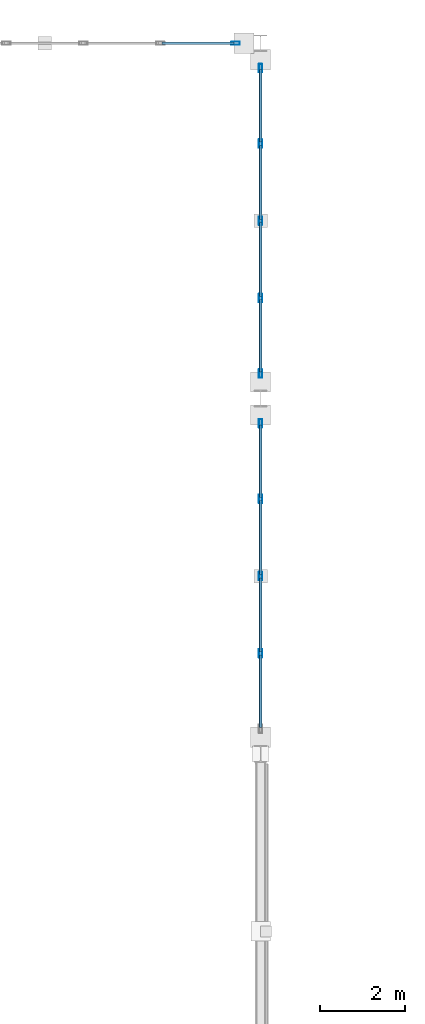
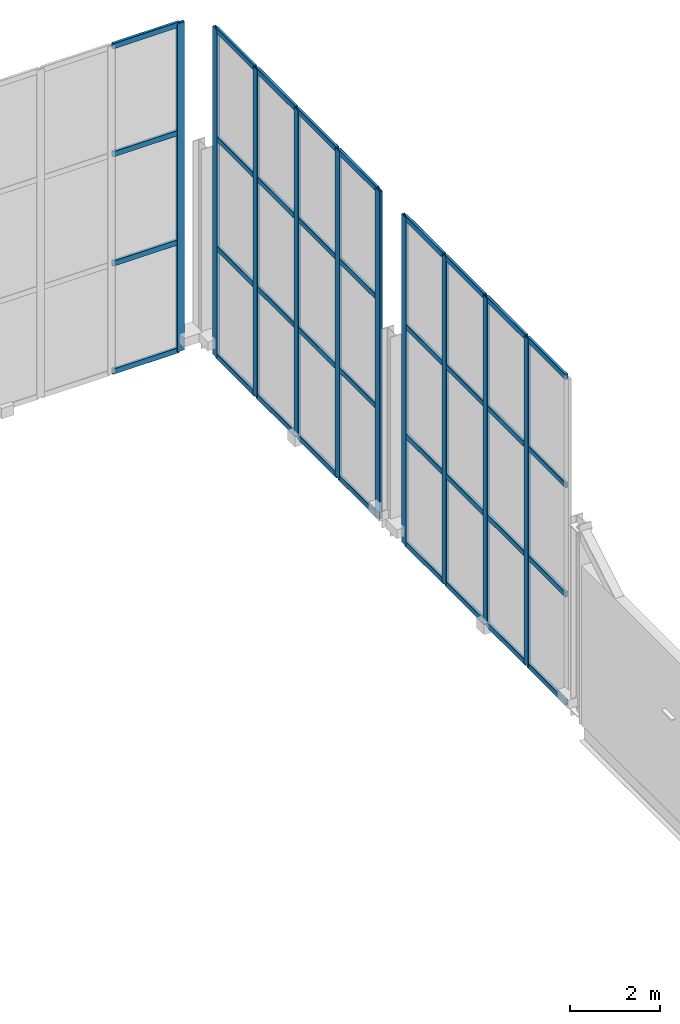
# One storey, part 100 of 175: 46 members, 3 elements without a shape of their own.
"""IFC4 building model written with IfcOpenShell, lengths in metres."""

from ifc_helpers import new_model, si_unit, direction, frame, origin, origin_2d, place, context, subcontext, project, spatial, hollow_rectangle, extrude, material, material_profile, profile_set, type_object, element, aggregate, save


model = new_model("IFC4")

# Units and contexts
model_context = context("Model", 3, precision=1e-05, world=origin(), true_north=direction((0.0, 1.0)))
body_context = subcontext(model_context, "Body", "Model", "MODEL_VIEW")
ifc_project = project(units=[si_unit("LENGTHUNIT", "METRE"), si_unit("AREAUNIT", "SQUARE_METRE"), si_unit("VOLUMEUNIT", "CUBIC_METRE"), si_unit("PLANEANGLEUNIT", "RADIAN"), si_unit("MASSUNIT", "GRAM", prefix="KILO")], contexts=[model_context])

# Site, building, storey
site_placement = place(None, origin())
site = spatial("IfcSite", under=ifc_project, at=site_placement, CompositionType="ELEMENT")
building_placement = place(site_placement, origin())
building = spatial("IfcBuilding", under=site, at=building_placement, Name="Brelvane Convention Centre", CompositionType="ELEMENT")
storey_placement = place(building_placement, frame((0.0, 0.0, 5.39990234375)))
storey = spatial("IfcBuildingStorey", under=building, at=storey_placement, Name="L01", CompositionType="ELEMENT", Elevation=5.39990234375)

# Curtain wall, member
ifc_material_1 = material(Name="Anodised Aluminium Alloy 6063-T6", Category="aluminium")
curtain_wall_type = type_object("IfcCurtainWallType", Name="Curtain Wall CW-BALL", PredefinedType="USERDEFINED", material=ifc_material_1)
curtain_wall_1_placement = place(storey_placement, origin())
curtain_wall_1 = element("IfcCurtainWall", 1, at=curtain_wall_1_placement, inside=storey, type_object=curtain_wall_type, Name="Curtain Wall CW-BALL L01-V3N-CW-L01-5", ObjectType="UNITISED", PredefinedType="USERDEFINED")
ifc_material_2 = material(Name="Anodised Aluminium Alloy 6063-T6", Category="aluminium")
ifc_material_profile_1 = material_profile(ifc_material_2, hollow_rectangle(XDim=0.074951171875, YDim=0.199951171875, WallThickness=0.0048828125, InnerFilletRadius=0.0048828125, OuterFilletRadius=0.010009765625, at=origin_2d()), Name="ALU-M 200x75x5.0")
ifc_profile_set_1 = profile_set([ifc_material_profile_1], Name="Anodised Aluminium Alloy 6063-T6")
member_type_1 = type_object("IfcMemberType", Name="Curtain Mullion CW-M2", PredefinedType="MULLION", material=ifc_profile_set_1)
member_1_placement = place(storey_placement, frame((223.8125, 144.0, 0.0), z_axis=(0.0, 0.0, 1.0), x_axis=(0.0, 1.0, 0.0)))
member_1 = element("IfcMember", 2, at=member_1_placement, type_object=member_type_1, Name="CW-BALL mullion 6", PredefinedType="MULLION", context=body_context, shape_type="SweptSolid", body=[
    extrude(hollow_rectangle(XDim=0.074951171875, YDim=0.199951171875, WallThickness=0.0048828125, InnerFilletRadius=0.0048828125, OuterFilletRadius=0.010009765625, at=origin_2d()), origin(), (0.0, 0.0, 1.0), 8.900146484375),
])

# Curtain wall, members
curtain_wall_2_placement = place(storey_placement, origin())
curtain_wall_2 = element("IfcCurtainWall", 3, at=curtain_wall_2_placement, inside=storey, type_object=curtain_wall_type, Name="Curtain Wall CW-BALL L01-V3E-CW-L01-4", ObjectType="UNITISED", PredefinedType="USERDEFINED")
member_2_placement = place(storey_placement, frame((224.39990234375, 129.574951171875, 0.0), z_axis=(0.0, 0.0, 1.0), x_axis=(-1.0, 0.0, 0.0)))
member_2 = element("IfcMember", 4, at=member_2_placement, type_object=member_type_1, Name="CW-BALL mullion 2", PredefinedType="MULLION", context=body_context, shape_type="SweptSolid", body=[
    extrude(hollow_rectangle(XDim=0.074951171875, YDim=0.199951171875, WallThickness=0.0048828125, InnerFilletRadius=0.0048828125, OuterFilletRadius=0.010009765625, at=origin_2d()), origin(), (0.0, 0.0, 1.0), 8.900146484375),
])
member_3_placement = place(storey_placement, frame((224.39990234375, 131.39990234375, 0.0), z_axis=(0.0, 0.0, 1.0), x_axis=(-1.0, 0.0, 0.0)))
member_3 = element("IfcMember", 5, at=member_3_placement, type_object=member_type_1, Name="CW-BALL mullion 3", PredefinedType="MULLION", context=body_context, shape_type="SweptSolid", body=[
    extrude(hollow_rectangle(XDim=0.074951171875, YDim=0.199951171875, WallThickness=0.0048828125, InnerFilletRadius=0.0048828125, OuterFilletRadius=0.010009765625, at=origin_2d()), origin(), (0.0, 0.0, 1.0), 8.900146484375),
])
member_4_placement = place(storey_placement, frame((224.39990234375, 133.22509765625, 0.0), z_axis=(0.0, 0.0, 1.0), x_axis=(-1.0, 0.0, 0.0)))
member_4 = element("IfcMember", 6, at=member_4_placement, type_object=member_type_1, Name="CW-BALL mullion 4", PredefinedType="MULLION", context=body_context, shape_type="SweptSolid", body=[
    extrude(hollow_rectangle(XDim=0.074951171875, YDim=0.199951171875, WallThickness=0.0048828125, InnerFilletRadius=0.0048828125, OuterFilletRadius=0.010009765625, at=origin_2d()), origin(), (0.0, 0.0, 1.0), 8.900146484375),
])
member_5_placement = place(storey_placement, frame((224.39990234375, 135.012451171875, 0.0), z_axis=(0.0, 0.0, 1.0), x_axis=(-1.0, 0.0, 0.0)))
member_5 = element("IfcMember", 7, at=member_5_placement, type_object=member_type_1, Name="CW-BALL mullion 5", PredefinedType="MULLION", context=body_context, shape_type="SweptSolid", body=[
    extrude(hollow_rectangle(XDim=0.074951171875, YDim=0.199951171875, WallThickness=0.0048828125, InnerFilletRadius=0.0048828125, OuterFilletRadius=0.010009765625, at=origin_2d()), origin(), (0.0, 0.0, 1.0), 8.900146484375),
])

curtain_wall_3_placement = place(storey_placement, origin())
curtain_wall_3 = element("IfcCurtainWall", 8, at=curtain_wall_3_placement, inside=storey, type_object=curtain_wall_type, Name="Curtain Wall CW-BALL L01-V3E-CW-L01-5", ObjectType="UNITISED", PredefinedType="USERDEFINED")
member_6_placement = place(storey_placement, frame((224.39990234375, 136.1875, 0.0), z_axis=(0.0, 0.0, 1.0), x_axis=(-1.0, 0.0, 0.0)))
member_6 = element("IfcMember", 9, at=member_6_placement, type_object=member_type_1, Name="CW-BALL mullion 1", PredefinedType="MULLION", context=body_context, shape_type="SweptSolid", body=[
    extrude(hollow_rectangle(XDim=0.074951171875, YDim=0.199951171875, WallThickness=0.0048828125, InnerFilletRadius=0.0048828125, OuterFilletRadius=0.010009765625, at=origin_2d()), origin(), (0.0, 0.0, 1.0), 8.900146484375),
])
member_7_placement = place(storey_placement, frame((224.39990234375, 137.97509765625, 0.0), z_axis=(0.0, 0.0, 1.0), x_axis=(-1.0, 0.0, 0.0)))
member_7 = element("IfcMember", 10, at=member_7_placement, type_object=member_type_1, Name="CW-BALL mullion 2", PredefinedType="MULLION", context=body_context, shape_type="SweptSolid", body=[
    extrude(hollow_rectangle(XDim=0.074951171875, YDim=0.199951171875, WallThickness=0.0048828125, InnerFilletRadius=0.0048828125, OuterFilletRadius=0.010009765625, at=origin_2d()), origin(), (0.0, 0.0, 1.0), 8.900146484375),
])
member_8_placement = place(storey_placement, frame((224.39990234375, 139.800048828125, 0.0), z_axis=(0.0, 0.0, 1.0), x_axis=(-1.0, 0.0, 0.0)))
member_8 = element("IfcMember", 11, at=member_8_placement, type_object=member_type_1, Name="CW-BALL mullion 3", PredefinedType="MULLION", context=body_context, shape_type="SweptSolid", body=[
    extrude(hollow_rectangle(XDim=0.074951171875, YDim=0.199951171875, WallThickness=0.0048828125, InnerFilletRadius=0.0048828125, OuterFilletRadius=0.010009765625, at=origin_2d()), origin(), (0.0, 0.0, 1.0), 8.900146484375),
])
member_9_placement = place(storey_placement, frame((224.39990234375, 141.625, 0.0), z_axis=(0.0, 0.0, 1.0), x_axis=(-1.0, 0.0, 0.0)))
member_9 = element("IfcMember", 12, at=member_9_placement, type_object=member_type_1, Name="CW-BALL mullion 4", PredefinedType="MULLION", context=body_context, shape_type="SweptSolid", body=[
    extrude(hollow_rectangle(XDim=0.074951171875, YDim=0.199951171875, WallThickness=0.0048828125, InnerFilletRadius=0.0048828125, OuterFilletRadius=0.010009765625, at=origin_2d()), origin(), (0.0, 0.0, 1.0), 8.900146484375),
])
member_10_placement = place(storey_placement, frame((224.39990234375, 143.41259765625, 0.0), z_axis=(0.0, 0.0, 1.0), x_axis=(-1.0, 0.0, 0.0)))
member_10 = element("IfcMember", 13, at=member_10_placement, type_object=member_type_1, Name="CW-BALL mullion 5", PredefinedType="MULLION", context=body_context, shape_type="SweptSolid", body=[
    extrude(hollow_rectangle(XDim=0.074951171875, YDim=0.199951171875, WallThickness=0.0048828125, InnerFilletRadius=0.0048828125, OuterFilletRadius=0.010009765625, at=origin_2d()), origin(), (0.0, 0.0, 1.0), 8.900146484375),
])

# Member
ifc_material_3 = material(Name="Anodised Aluminium Alloy 6063-T6", Category="aluminium")
ifc_material_profile_2 = material_profile(ifc_material_3, hollow_rectangle(XDim=0.070068359375, YDim=0.14990234375, WallThickness=0.00439453125, InnerFilletRadius=0.00439453125, OuterFilletRadius=0.009033203125, at=origin_2d()), Name="ALU-T 150x70x4.5")
ifc_profile_set_2 = profile_set([ifc_material_profile_2], Name="Anodised Aluminium Alloy 6063-T6")
member_type_2 = type_object("IfcMemberType", Name="Curtain Transom CW-T2", PredefinedType="USERDEFINED", material=ifc_profile_set_2)
member_11_placement = place(storey_placement, frame((222.0673828125, 144.0, 0.03515625), z_axis=(1.0, 0.0, 0.0), x_axis=(0.0, 1.0, 0.0)))
member_11 = element("IfcMember", 14, at=member_11_placement, type_object=member_type_2, Name="CW-BALL transom 5.1", ObjectType="TRANSOM", PredefinedType="USERDEFINED", context=body_context, shape_type="SweptSolid", body=[
    extrude(hollow_rectangle(XDim=0.070068359375, YDim=0.14990234375, WallThickness=0.00439453125, InnerFilletRadius=0.00439453125, OuterFilletRadius=0.009033203125, at=origin_2d()), origin(), (0.0, 0.0, 1.0), 1.70751953125),
])

member_12_placement = place(storey_placement, frame((222.0673828125, 144.0, 2.966796875), z_axis=(1.0, 0.0, 0.0), x_axis=(0.0, 1.0, 0.0)))
member_12 = element("IfcMember", 15, at=member_12_placement, type_object=member_type_2, Name="CW-BALL transom 5.2", ObjectType="TRANSOM", PredefinedType="USERDEFINED", context=body_context, shape_type="SweptSolid", body=[
    extrude(hollow_rectangle(XDim=0.070068359375, YDim=0.14990234375, WallThickness=0.00439453125, InnerFilletRadius=0.00439453125, OuterFilletRadius=0.009033203125, at=origin_2d()), origin(), (0.0, 0.0, 1.0), 1.70751953125),
])

member_13_placement = place(storey_placement, frame((222.0673828125, 144.0, 5.933349609375), z_axis=(1.0, 0.0, 0.0), x_axis=(0.0, 1.0, 0.0)))
member_13 = element("IfcMember", 16, at=member_13_placement, type_object=member_type_2, Name="CW-BALL transom 5.3", ObjectType="TRANSOM", PredefinedType="USERDEFINED", context=body_context, shape_type="SweptSolid", body=[
    extrude(hollow_rectangle(XDim=0.070068359375, YDim=0.14990234375, WallThickness=0.00439453125, InnerFilletRadius=0.00439453125, OuterFilletRadius=0.009033203125, at=origin_2d()), origin(), (0.0, 0.0, 1.0), 1.70751953125),
])

member_14_placement = place(storey_placement, frame((222.0673828125, 144.0, 8.864990234375), z_axis=(1.0, 0.0, 0.0), x_axis=(0.0, 1.0, 0.0)))
member_14 = element("IfcMember", 17, at=member_14_placement, type_object=member_type_2, Name="CW-BALL transom 5.4", ObjectType="TRANSOM", PredefinedType="USERDEFINED", context=body_context, shape_type="SweptSolid", body=[
    extrude(hollow_rectangle(XDim=0.070068359375, YDim=0.14990234375, WallThickness=0.00439453125, InnerFilletRadius=0.00439453125, OuterFilletRadius=0.009033203125, at=origin_2d()), origin(), (0.0, 0.0, 1.0), 1.70751953125),
])

aggregate(curtain_wall_1, [member_1, member_11, member_12, member_13, member_14])

member_15_placement = place(storey_placement, frame((224.39990234375, 127.824951171875, 0.03515625), z_axis=(0.0, 1.0, 0.0), x_axis=(-1.0, 0.0, 0.0)))
member_15 = element("IfcMember", 18, at=member_15_placement, type_object=member_type_2, Name="CW-BALL transom 1.1", ObjectType="TRANSOM", PredefinedType="USERDEFINED", context=body_context, shape_type="SweptSolid", body=[
    extrude(hollow_rectangle(XDim=0.070068359375, YDim=0.14990234375, WallThickness=0.00439453125, InnerFilletRadius=0.00439453125, OuterFilletRadius=0.009033203125, at=origin_2d()), origin(), (0.0, 0.0, 1.0), 1.712646484375),
])

member_16_placement = place(storey_placement, frame((224.39990234375, 127.824951171875, 2.966796875), z_axis=(0.0, 1.0, 0.0), x_axis=(-1.0, 0.0, 0.0)))
member_16 = element("IfcMember", 19, at=member_16_placement, type_object=member_type_2, Name="CW-BALL transom 1.2", ObjectType="TRANSOM", PredefinedType="USERDEFINED", context=body_context, shape_type="SweptSolid", body=[
    extrude(hollow_rectangle(XDim=0.070068359375, YDim=0.14990234375, WallThickness=0.00439453125, InnerFilletRadius=0.00439453125, OuterFilletRadius=0.009033203125, at=origin_2d()), origin(), (0.0, 0.0, 1.0), 1.712646484375),
])

member_17_placement = place(storey_placement, frame((224.39990234375, 127.824951171875, 5.933349609375), z_axis=(0.0, 1.0, 0.0), x_axis=(-1.0, 0.0, 0.0)))
member_17 = element("IfcMember", 20, at=member_17_placement, type_object=member_type_2, Name="CW-BALL transom 1.3", ObjectType="TRANSOM", PredefinedType="USERDEFINED", context=body_context, shape_type="SweptSolid", body=[
    extrude(hollow_rectangle(XDim=0.070068359375, YDim=0.14990234375, WallThickness=0.00439453125, InnerFilletRadius=0.00439453125, OuterFilletRadius=0.009033203125, at=origin_2d()), origin(), (0.0, 0.0, 1.0), 1.712646484375),
])

member_18_placement = place(storey_placement, frame((224.39990234375, 127.824951171875, 8.864990234375), z_axis=(0.0, 1.0, 0.0), x_axis=(-1.0, 0.0, 0.0)))
member_18 = element("IfcMember", 21, at=member_18_placement, type_object=member_type_2, Name="CW-BALL transom 1.4", ObjectType="TRANSOM", PredefinedType="USERDEFINED", context=body_context, shape_type="SweptSolid", body=[
    extrude(hollow_rectangle(XDim=0.070068359375, YDim=0.14990234375, WallThickness=0.00439453125, InnerFilletRadius=0.00439453125, OuterFilletRadius=0.009033203125, at=origin_2d()), origin(), (0.0, 0.0, 1.0), 1.712646484375),
])

member_19_placement = place(storey_placement, frame((224.39990234375, 129.612548828125, 0.03515625), z_axis=(0.0, 1.0, 0.0), x_axis=(-1.0, 0.0, 0.0)))
member_19 = element("IfcMember", 22, at=member_19_placement, type_object=member_type_2, Name="CW-BALL transom 2.1", ObjectType="TRANSOM", PredefinedType="USERDEFINED", context=body_context, shape_type="SweptSolid", body=[
    extrude(hollow_rectangle(XDim=0.070068359375, YDim=0.14990234375, WallThickness=0.00439453125, InnerFilletRadius=0.00439453125, OuterFilletRadius=0.009033203125, at=origin_2d()), origin(), (0.0, 0.0, 1.0), 1.75),
])

member_20_placement = place(storey_placement, frame((224.39990234375, 129.612548828125, 2.966796875), z_axis=(0.0, 1.0, 0.0), x_axis=(-1.0, 0.0, 0.0)))
member_20 = element("IfcMember", 23, at=member_20_placement, type_object=member_type_2, Name="CW-BALL transom 2.2", ObjectType="TRANSOM", PredefinedType="USERDEFINED", context=body_context, shape_type="SweptSolid", body=[
    extrude(hollow_rectangle(XDim=0.070068359375, YDim=0.14990234375, WallThickness=0.00439453125, InnerFilletRadius=0.00439453125, OuterFilletRadius=0.009033203125, at=origin_2d()), origin(), (0.0, 0.0, 1.0), 1.75),
])

member_21_placement = place(storey_placement, frame((224.39990234375, 129.612548828125, 5.933349609375), z_axis=(0.0, 1.0, 0.0), x_axis=(-1.0, 0.0, 0.0)))
member_21 = element("IfcMember", 24, at=member_21_placement, type_object=member_type_2, Name="CW-BALL transom 2.3", ObjectType="TRANSOM", PredefinedType="USERDEFINED", context=body_context, shape_type="SweptSolid", body=[
    extrude(hollow_rectangle(XDim=0.070068359375, YDim=0.14990234375, WallThickness=0.00439453125, InnerFilletRadius=0.00439453125, OuterFilletRadius=0.009033203125, at=origin_2d()), origin(), (0.0, 0.0, 1.0), 1.75),
])

member_22_placement = place(storey_placement, frame((224.39990234375, 129.612548828125, 8.864990234375), z_axis=(0.0, 1.0, 0.0), x_axis=(-1.0, 0.0, 0.0)))
member_22 = element("IfcMember", 25, at=member_22_placement, type_object=member_type_2, Name="CW-BALL transom 2.4", ObjectType="TRANSOM", PredefinedType="USERDEFINED", context=body_context, shape_type="SweptSolid", body=[
    extrude(hollow_rectangle(XDim=0.070068359375, YDim=0.14990234375, WallThickness=0.00439453125, InnerFilletRadius=0.00439453125, OuterFilletRadius=0.009033203125, at=origin_2d()), origin(), (0.0, 0.0, 1.0), 1.75),
])

member_23_placement = place(storey_placement, frame((224.39990234375, 131.4375, 0.03515625), z_axis=(0.0, 1.0, 0.0), x_axis=(-1.0, 0.0, 0.0)))
member_23 = element("IfcMember", 26, at=member_23_placement, type_object=member_type_2, Name="CW-BALL transom 3.1", ObjectType="TRANSOM", PredefinedType="USERDEFINED", context=body_context, shape_type="SweptSolid", body=[
    extrude(hollow_rectangle(XDim=0.070068359375, YDim=0.14990234375, WallThickness=0.00439453125, InnerFilletRadius=0.00439453125, OuterFilletRadius=0.009033203125, at=origin_2d()), origin(), (0.0, 0.0, 1.0), 1.75),
])

member_24_placement = place(storey_placement, frame((224.39990234375, 131.4375, 2.966796875), z_axis=(0.0, 1.0, 0.0), x_axis=(-1.0, 0.0, 0.0)))
member_24 = element("IfcMember", 27, at=member_24_placement, type_object=member_type_2, Name="CW-BALL transom 3.2", ObjectType="TRANSOM", PredefinedType="USERDEFINED", context=body_context, shape_type="SweptSolid", body=[
    extrude(hollow_rectangle(XDim=0.070068359375, YDim=0.14990234375, WallThickness=0.00439453125, InnerFilletRadius=0.00439453125, OuterFilletRadius=0.009033203125, at=origin_2d()), origin(), (0.0, 0.0, 1.0), 1.75),
])

member_25_placement = place(storey_placement, frame((224.39990234375, 131.4375, 5.933349609375), z_axis=(0.0, 1.0, 0.0), x_axis=(-1.0, 0.0, 0.0)))
member_25 = element("IfcMember", 28, at=member_25_placement, type_object=member_type_2, Name="CW-BALL transom 3.3", ObjectType="TRANSOM", PredefinedType="USERDEFINED", context=body_context, shape_type="SweptSolid", body=[
    extrude(hollow_rectangle(XDim=0.070068359375, YDim=0.14990234375, WallThickness=0.00439453125, InnerFilletRadius=0.00439453125, OuterFilletRadius=0.009033203125, at=origin_2d()), origin(), (0.0, 0.0, 1.0), 1.75),
])

member_26_placement = place(storey_placement, frame((224.39990234375, 131.4375, 8.864990234375), z_axis=(0.0, 1.0, 0.0), x_axis=(-1.0, 0.0, 0.0)))
member_26 = element("IfcMember", 29, at=member_26_placement, type_object=member_type_2, Name="CW-BALL transom 3.4", ObjectType="TRANSOM", PredefinedType="USERDEFINED", context=body_context, shape_type="SweptSolid", body=[
    extrude(hollow_rectangle(XDim=0.070068359375, YDim=0.14990234375, WallThickness=0.00439453125, InnerFilletRadius=0.00439453125, OuterFilletRadius=0.009033203125, at=origin_2d()), origin(), (0.0, 0.0, 1.0), 1.75),
])

member_27_placement = place(storey_placement, frame((224.39990234375, 133.262451171875, 0.03515625), z_axis=(0.0, 1.0, 0.0), x_axis=(-1.0, 0.0, 0.0)))
member_27 = element("IfcMember", 30, at=member_27_placement, type_object=member_type_2, Name="CW-BALL transom 4.1", ObjectType="TRANSOM", PredefinedType="USERDEFINED", context=body_context, shape_type="SweptSolid", body=[
    extrude(hollow_rectangle(XDim=0.070068359375, YDim=0.14990234375, WallThickness=0.00439453125, InnerFilletRadius=0.00439453125, OuterFilletRadius=0.009033203125, at=origin_2d()), origin(), (0.0, 0.0, 1.0), 1.712646484375),
])

member_28_placement = place(storey_placement, frame((224.39990234375, 133.262451171875, 2.966796875), z_axis=(0.0, 1.0, 0.0), x_axis=(-1.0, 0.0, 0.0)))
member_28 = element("IfcMember", 31, at=member_28_placement, type_object=member_type_2, Name="CW-BALL transom 4.2", ObjectType="TRANSOM", PredefinedType="USERDEFINED", context=body_context, shape_type="SweptSolid", body=[
    extrude(hollow_rectangle(XDim=0.070068359375, YDim=0.14990234375, WallThickness=0.00439453125, InnerFilletRadius=0.00439453125, OuterFilletRadius=0.009033203125, at=origin_2d()), origin(), (0.0, 0.0, 1.0), 1.712646484375),
])

member_29_placement = place(storey_placement, frame((224.39990234375, 133.262451171875, 5.933349609375), z_axis=(0.0, 1.0, 0.0), x_axis=(-1.0, 0.0, 0.0)))
member_29 = element("IfcMember", 32, at=member_29_placement, type_object=member_type_2, Name="CW-BALL transom 4.3", ObjectType="TRANSOM", PredefinedType="USERDEFINED", context=body_context, shape_type="SweptSolid", body=[
    extrude(hollow_rectangle(XDim=0.070068359375, YDim=0.14990234375, WallThickness=0.00439453125, InnerFilletRadius=0.00439453125, OuterFilletRadius=0.009033203125, at=origin_2d()), origin(), (0.0, 0.0, 1.0), 1.712646484375),
])

member_30_placement = place(storey_placement, frame((224.39990234375, 133.262451171875, 8.864990234375), z_axis=(0.0, 1.0, 0.0), x_axis=(-1.0, 0.0, 0.0)))
member_30 = element("IfcMember", 33, at=member_30_placement, type_object=member_type_2, Name="CW-BALL transom 4.4", ObjectType="TRANSOM", PredefinedType="USERDEFINED", context=body_context, shape_type="SweptSolid", body=[
    extrude(hollow_rectangle(XDim=0.070068359375, YDim=0.14990234375, WallThickness=0.00439453125, InnerFilletRadius=0.00439453125, OuterFilletRadius=0.009033203125, at=origin_2d()), origin(), (0.0, 0.0, 1.0), 1.712646484375),
])

aggregate(curtain_wall_2, [member_2, member_3, member_4, member_5, member_15, member_16, member_17, member_18, member_19, member_20, member_21, member_22, member_23, member_24, member_25, member_26, member_27, member_28, member_29, member_30])

member_31_placement = place(storey_placement, frame((224.39990234375, 136.22509765625, 0.03515625), z_axis=(0.0, 1.0, 0.0), x_axis=(-1.0, 0.0, 0.0)))
member_31 = element("IfcMember", 34, at=member_31_placement, type_object=member_type_2, Name="CW-BALL transom 1.1", ObjectType="TRANSOM", PredefinedType="USERDEFINED", context=body_context, shape_type="SweptSolid", body=[
    extrude(hollow_rectangle(XDim=0.070068359375, YDim=0.14990234375, WallThickness=0.00439453125, InnerFilletRadius=0.00439453125, OuterFilletRadius=0.009033203125, at=origin_2d()), origin(), (0.0, 0.0, 1.0), 1.71240234375),
])

member_32_placement = place(storey_placement, frame((224.39990234375, 136.22509765625, 2.966796875), z_axis=(0.0, 1.0, 0.0), x_axis=(-1.0, 0.0, 0.0)))
member_32 = element("IfcMember", 35, at=member_32_placement, type_object=member_type_2, Name="CW-BALL transom 1.2", ObjectType="TRANSOM", PredefinedType="USERDEFINED", context=body_context, shape_type="SweptSolid", body=[
    extrude(hollow_rectangle(XDim=0.070068359375, YDim=0.14990234375, WallThickness=0.00439453125, InnerFilletRadius=0.00439453125, OuterFilletRadius=0.009033203125, at=origin_2d()), origin(), (0.0, 0.0, 1.0), 1.71240234375),
])

member_33_placement = place(storey_placement, frame((224.39990234375, 136.22509765625, 5.933349609375), z_axis=(0.0, 1.0, 0.0), x_axis=(-1.0, 0.0, 0.0)))
member_33 = element("IfcMember", 36, at=member_33_placement, type_object=member_type_2, Name="CW-BALL transom 1.3", ObjectType="TRANSOM", PredefinedType="USERDEFINED", context=body_context, shape_type="SweptSolid", body=[
    extrude(hollow_rectangle(XDim=0.070068359375, YDim=0.14990234375, WallThickness=0.00439453125, InnerFilletRadius=0.00439453125, OuterFilletRadius=0.009033203125, at=origin_2d()), origin(), (0.0, 0.0, 1.0), 1.71240234375),
])

member_34_placement = place(storey_placement, frame((224.39990234375, 136.22509765625, 8.864990234375), z_axis=(0.0, 1.0, 0.0), x_axis=(-1.0, 0.0, 0.0)))
member_34 = element("IfcMember", 37, at=member_34_placement, type_object=member_type_2, Name="CW-BALL transom 1.4", ObjectType="TRANSOM", PredefinedType="USERDEFINED", context=body_context, shape_type="SweptSolid", body=[
    extrude(hollow_rectangle(XDim=0.070068359375, YDim=0.14990234375, WallThickness=0.00439453125, InnerFilletRadius=0.00439453125, OuterFilletRadius=0.009033203125, at=origin_2d()), origin(), (0.0, 0.0, 1.0), 1.71240234375),
])

member_35_placement = place(storey_placement, frame((224.39990234375, 138.012451171875, 0.03515625), z_axis=(0.0, 1.0, 0.0), x_axis=(-1.0, 0.0, 0.0)))
member_35 = element("IfcMember", 38, at=member_35_placement, type_object=member_type_2, Name="CW-BALL transom 2.1", ObjectType="TRANSOM", PredefinedType="USERDEFINED", context=body_context, shape_type="SweptSolid", body=[
    extrude(hollow_rectangle(XDim=0.070068359375, YDim=0.14990234375, WallThickness=0.00439453125, InnerFilletRadius=0.00439453125, OuterFilletRadius=0.009033203125, at=origin_2d()), origin(), (0.0, 0.0, 1.0), 1.75),
])

member_36_placement = place(storey_placement, frame((224.39990234375, 138.012451171875, 2.966796875), z_axis=(0.0, 1.0, 0.0), x_axis=(-1.0, 0.0, 0.0)))
member_36 = element("IfcMember", 39, at=member_36_placement, type_object=member_type_2, Name="CW-BALL transom 2.2", ObjectType="TRANSOM", PredefinedType="USERDEFINED", context=body_context, shape_type="SweptSolid", body=[
    extrude(hollow_rectangle(XDim=0.070068359375, YDim=0.14990234375, WallThickness=0.00439453125, InnerFilletRadius=0.00439453125, OuterFilletRadius=0.009033203125, at=origin_2d()), origin(), (0.0, 0.0, 1.0), 1.75),
])

member_37_placement = place(storey_placement, frame((224.39990234375, 138.012451171875, 5.933349609375), z_axis=(0.0, 1.0, 0.0), x_axis=(-1.0, 0.0, 0.0)))
member_37 = element("IfcMember", 40, at=member_37_placement, type_object=member_type_2, Name="CW-BALL transom 2.3", ObjectType="TRANSOM", PredefinedType="USERDEFINED", context=body_context, shape_type="SweptSolid", body=[
    extrude(hollow_rectangle(XDim=0.070068359375, YDim=0.14990234375, WallThickness=0.00439453125, InnerFilletRadius=0.00439453125, OuterFilletRadius=0.009033203125, at=origin_2d()), origin(), (0.0, 0.0, 1.0), 1.75),
])

member_38_placement = place(storey_placement, frame((224.39990234375, 138.012451171875, 8.864990234375), z_axis=(0.0, 1.0, 0.0), x_axis=(-1.0, 0.0, 0.0)))
member_38 = element("IfcMember", 41, at=member_38_placement, type_object=member_type_2, Name="CW-BALL transom 2.4", ObjectType="TRANSOM", PredefinedType="USERDEFINED", context=body_context, shape_type="SweptSolid", body=[
    extrude(hollow_rectangle(XDim=0.070068359375, YDim=0.14990234375, WallThickness=0.00439453125, InnerFilletRadius=0.00439453125, OuterFilletRadius=0.009033203125, at=origin_2d()), origin(), (0.0, 0.0, 1.0), 1.75),
])

member_39_placement = place(storey_placement, frame((224.39990234375, 139.83740234375, 0.03515625), z_axis=(0.0, 1.0, 0.0), x_axis=(-1.0, 0.0, 0.0)))
member_39 = element("IfcMember", 42, at=member_39_placement, type_object=member_type_2, Name="CW-BALL transom 3.1", ObjectType="TRANSOM", PredefinedType="USERDEFINED", context=body_context, shape_type="SweptSolid", body=[
    extrude(hollow_rectangle(XDim=0.070068359375, YDim=0.14990234375, WallThickness=0.00439453125, InnerFilletRadius=0.00439453125, OuterFilletRadius=0.009033203125, at=origin_2d()), origin(), (0.0, 0.0, 1.0), 1.75),
])

member_40_placement = place(storey_placement, frame((224.39990234375, 139.83740234375, 2.966796875), z_axis=(0.0, 1.0, 0.0), x_axis=(-1.0, 0.0, 0.0)))
member_40 = element("IfcMember", 43, at=member_40_placement, type_object=member_type_2, Name="CW-BALL transom 3.2", ObjectType="TRANSOM", PredefinedType="USERDEFINED", context=body_context, shape_type="SweptSolid", body=[
    extrude(hollow_rectangle(XDim=0.070068359375, YDim=0.14990234375, WallThickness=0.00439453125, InnerFilletRadius=0.00439453125, OuterFilletRadius=0.009033203125, at=origin_2d()), origin(), (0.0, 0.0, 1.0), 1.75),
])

member_41_placement = place(storey_placement, frame((224.39990234375, 139.83740234375, 5.933349609375), z_axis=(0.0, 1.0, 0.0), x_axis=(-1.0, 0.0, 0.0)))
member_41 = element("IfcMember", 44, at=member_41_placement, type_object=member_type_2, Name="CW-BALL transom 3.3", ObjectType="TRANSOM", PredefinedType="USERDEFINED", context=body_context, shape_type="SweptSolid", body=[
    extrude(hollow_rectangle(XDim=0.070068359375, YDim=0.14990234375, WallThickness=0.00439453125, InnerFilletRadius=0.00439453125, OuterFilletRadius=0.009033203125, at=origin_2d()), origin(), (0.0, 0.0, 1.0), 1.75),
])

member_42_placement = place(storey_placement, frame((224.39990234375, 139.83740234375, 8.864990234375), z_axis=(0.0, 1.0, 0.0), x_axis=(-1.0, 0.0, 0.0)))
member_42 = element("IfcMember", 45, at=member_42_placement, type_object=member_type_2, Name="CW-BALL transom 3.4", ObjectType="TRANSOM", PredefinedType="USERDEFINED", context=body_context, shape_type="SweptSolid", body=[
    extrude(hollow_rectangle(XDim=0.070068359375, YDim=0.14990234375, WallThickness=0.00439453125, InnerFilletRadius=0.00439453125, OuterFilletRadius=0.009033203125, at=origin_2d()), origin(), (0.0, 0.0, 1.0), 1.75),
])

member_43_placement = place(storey_placement, frame((224.39990234375, 141.66259765625, 0.03515625), z_axis=(0.0, 1.0, 0.0), x_axis=(-1.0, 0.0, 0.0)))
member_43 = element("IfcMember", 46, at=member_43_placement, type_object=member_type_2, Name="CW-BALL transom 4.1", ObjectType="TRANSOM", PredefinedType="USERDEFINED", context=body_context, shape_type="SweptSolid", body=[
    extrude(hollow_rectangle(XDim=0.070068359375, YDim=0.14990234375, WallThickness=0.00439453125, InnerFilletRadius=0.00439453125, OuterFilletRadius=0.009033203125, at=origin_2d()), origin(), (0.0, 0.0, 1.0), 1.71240234375),
])

member_44_placement = place(storey_placement, frame((224.39990234375, 141.66259765625, 2.966796875), z_axis=(0.0, 1.0, 0.0), x_axis=(-1.0, 0.0, 0.0)))
member_44 = element("IfcMember", 47, at=member_44_placement, type_object=member_type_2, Name="CW-BALL transom 4.2", ObjectType="TRANSOM", PredefinedType="USERDEFINED", context=body_context, shape_type="SweptSolid", body=[
    extrude(hollow_rectangle(XDim=0.070068359375, YDim=0.14990234375, WallThickness=0.00439453125, InnerFilletRadius=0.00439453125, OuterFilletRadius=0.009033203125, at=origin_2d()), origin(), (0.0, 0.0, 1.0), 1.71240234375),
])

member_45_placement = place(storey_placement, frame((224.39990234375, 141.66259765625, 5.933349609375), z_axis=(0.0, 1.0, 0.0), x_axis=(-1.0, 0.0, 0.0)))
member_45 = element("IfcMember", 48, at=member_45_placement, type_object=member_type_2, Name="CW-BALL transom 4.3", ObjectType="TRANSOM", PredefinedType="USERDEFINED", context=body_context, shape_type="SweptSolid", body=[
    extrude(hollow_rectangle(XDim=0.070068359375, YDim=0.14990234375, WallThickness=0.00439453125, InnerFilletRadius=0.00439453125, OuterFilletRadius=0.009033203125, at=origin_2d()), origin(), (0.0, 0.0, 1.0), 1.71240234375),
])

member_46_placement = place(storey_placement, frame((224.39990234375, 141.66259765625, 8.864990234375), z_axis=(0.0, 1.0, 0.0), x_axis=(-1.0, 0.0, 0.0)))
member_46 = element("IfcMember", 49, at=member_46_placement, type_object=member_type_2, Name="CW-BALL transom 4.4", ObjectType="TRANSOM", PredefinedType="USERDEFINED", context=body_context, shape_type="SweptSolid", body=[
    extrude(hollow_rectangle(XDim=0.070068359375, YDim=0.14990234375, WallThickness=0.00439453125, InnerFilletRadius=0.00439453125, OuterFilletRadius=0.009033203125, at=origin_2d()), origin(), (0.0, 0.0, 1.0), 1.71240234375),
])

aggregate(curtain_wall_3, [member_6, member_7, member_8, member_9, member_10, member_31, member_32, member_33, member_34, member_35, member_36, member_37, member_38, member_39, member_40, member_41, member_42, member_43, member_44, member_45, member_46])

save(model, "model.ifc")
